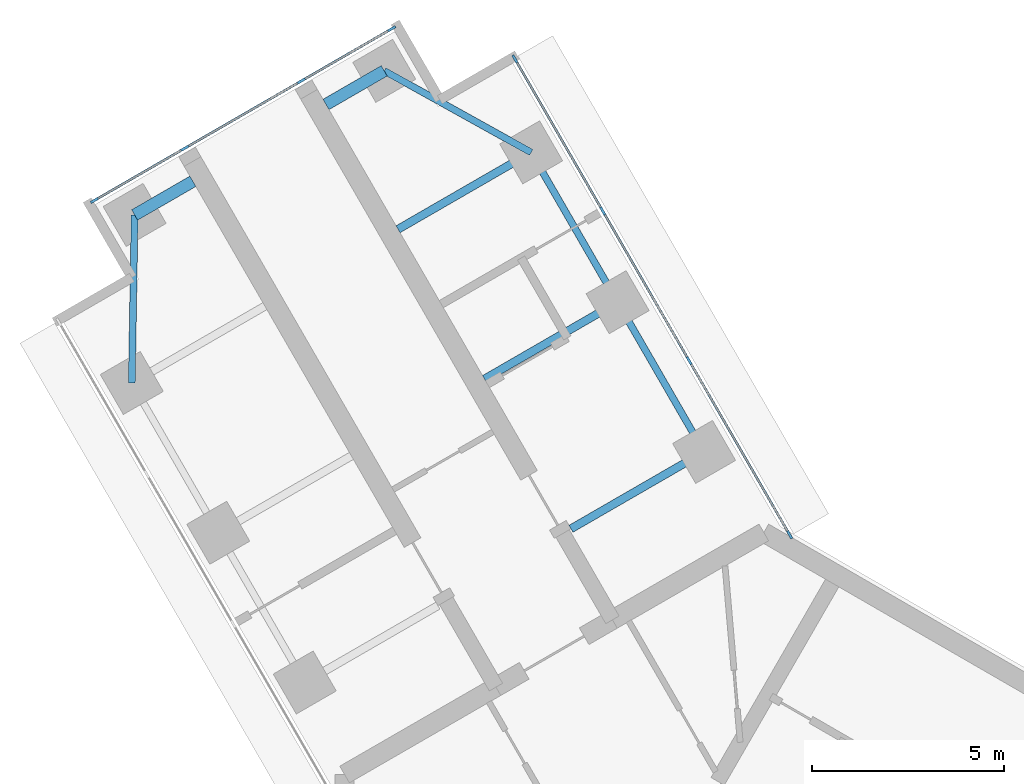
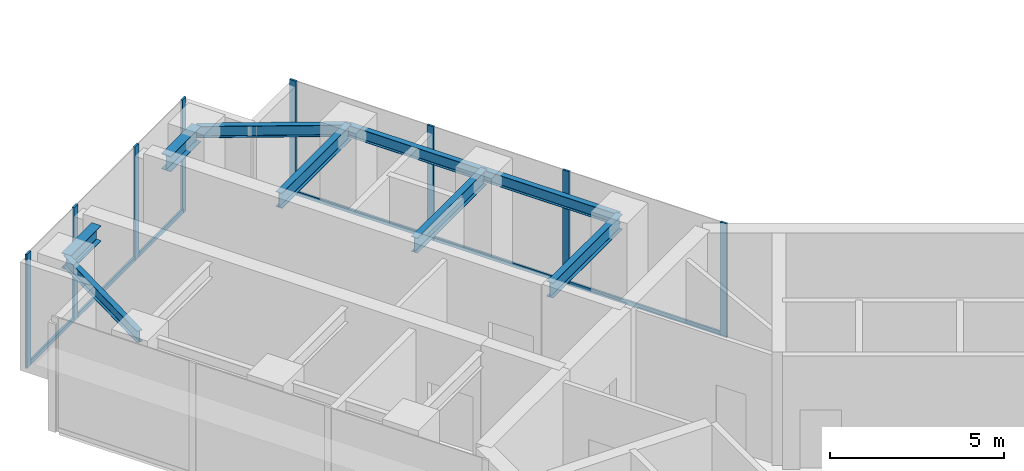
# One storey, part 6 of 17: 14 members, 9 beams, 2 elements without a shape of their own.
"""IFC4 building model written with IfcOpenShell, lengths in metres."""

from ifc_helpers import new_model, si_unit, direction, frame, origin, origin_2d, place, context, subcontext, project, spatial, rectangle, i_section, extrude, material, material_profile, profile_set, type_object, element, aggregate, save


model = new_model("IFC4")

# Units and contexts
model_context = context("Model", 3, precision=1e-05, world=origin(), true_north=direction((0.0, 1.0)))
body_context = subcontext(model_context, "Body", "Model", "MODEL_VIEW")
ifc_project = project(units=[si_unit("LENGTHUNIT", "METRE"), si_unit("AREAUNIT", "SQUARE_METRE"), si_unit("VOLUMEUNIT", "CUBIC_METRE"), si_unit("PLANEANGLEUNIT", "RADIAN"), si_unit("MASSUNIT", "GRAM", prefix="KILO")], contexts=[model_context])

# Site, building, storey
site_placement = place(None, origin())
site = spatial("IfcSite", under=ifc_project, at=site_placement, CompositionType="ELEMENT")
building_placement = place(site_placement, origin())
building = spatial("IfcBuilding", under=site, at=building_placement, Name="Upepo Twin Towers", CompositionType="ELEMENT")
storey_placement = place(building_placement, frame((0.0, 0.0, 190.5)))
storey = spatial("IfcBuildingStorey", under=building, at=storey_placement, Name="L46", CompositionType="ELEMENT", Elevation=190.5)

# Beams
ifc_material_1 = material(Name="Steel S355", Category="steel")
ifc_material_profile_1 = material_profile(ifc_material_1, i_section(OverallWidth=0.177978515625, OverallDepth=0.406494140625, WebThickness=0.0078125, FlangeThickness=0.0126953125, FilletRadius=0.01025390625, at=origin_2d()), Name="UB 406x178x60")
ifc_profile_set_1 = profile_set([ifc_material_profile_1], Name="Steel S355")
beam_type_1 = type_object("IfcBeamType", Name="Beam UB 406x178x60", PredefinedType="BEAM", material=ifc_profile_set_1)
beam_1_placement = place(storey_placement, frame((-16.446044921875, 16.485595703125, 3.5966796875), z_axis=(0.016803880528, 0.999858804832, 0.0), x_axis=(-0.999858804832, 0.016803880528, 0.0)))
element("IfcBeam", 1, at=beam_1_placement, inside=storey, type_object=beam_type_1, Name="T1 nose edge beam BL", PredefinedType="BEAM", context=body_context, shape_type="SweptSolid", body=[
    extrude(i_section(OverallWidth=0.177978515625, OverallDepth=0.406494140625, WebThickness=0.0078125, FlangeThickness=0.0126953125, FilletRadius=0.01025390625, at=origin_2d()), origin(), (0.0, 0.0, 1.0), 4.373291015625),
])
beam_2_placement = place(storey_placement, frame((-1.553955078125, 14.69140625, 3.5966796875), z_axis=(-0.500013631625, 0.866017533419, 0.0), x_axis=(-0.866017533419, -0.500013631625, 0.0)))
element("IfcBeam", 2, at=beam_2_placement, inside=storey, type_object=beam_type_1, Name="T1 edge beam BR 13.5-18.0", PredefinedType="BEAM", context=body_context, shape_type="SweptSolid", body=[
    extrude(i_section(OverallWidth=0.177978515625, OverallDepth=0.406494140625, WebThickness=0.0078125, FlangeThickness=0.0126953125, FilletRadius=0.01025390625, at=origin_2d()), origin(), (0.0, 0.0, 1.0), 4.499755859375),
])
beam_3_placement = place(storey_placement, frame((-3.803955078125, 18.58837890625, 3.5966796875), z_axis=(-0.499990139034, 0.866031096941, 0.0), x_axis=(-0.866031096941, -0.499990139034, 0.0)))
element("IfcBeam", 3, at=beam_3_placement, inside=storey, type_object=beam_type_1, Name="T1 edge beam BR 18.0-22.5", PredefinedType="BEAM", context=body_context, shape_type="SweptSolid", body=[
    extrude(i_section(OverallWidth=0.177978515625, OverallDepth=0.406494140625, WebThickness=0.0078125, FlangeThickness=0.0126953125, FilletRadius=0.01025390625, at=origin_2d()), origin(), (0.0, 0.0, 1.0), 4.5),
])
beam_4_placement = place(storey_placement, frame((-6.053955078125, 22.485595703125, 3.5966796875), z_axis=(-0.874312600038, 0.485363242752, 0.0), x_axis=(-0.485363242752, -0.874312600038, 0.0)))
element("IfcBeam", 4, at=beam_4_placement, inside=storey, type_object=beam_type_1, Name="T1 nose edge beam BR", PredefinedType="BEAM", context=body_context, shape_type="SweptSolid", body=[
    extrude(i_section(OverallWidth=0.177978515625, OverallDepth=0.406494140625, WebThickness=0.0078125, FlangeThickness=0.0126953125, FilletRadius=0.01025390625, at=origin_2d()), origin(), (0.0, 0.0, 1.0), 4.373046875),
])
ifc_material_2 = material(Name="Steel S355", Category="steel")
ifc_material_profile_2 = material_profile(ifc_material_2, i_section(OverallWidth=0.209228515625, OverallDepth=0.533203125, WebThickness=0.010009765625, FlangeThickness=0.015625, FilletRadius=0.0126953125, at=origin_2d()), Name="UB 533x210x92")
ifc_profile_set_2 = profile_set([ifc_material_profile_2], Name="Steel S355")
beam_type_2 = type_object("IfcBeamType", Name="Beam UB 533x210x92", PredefinedType="BEAM", material=ifc_profile_set_2)
for number, where, z_axis, x_axis, name in (
    (5, (-1.553955078125, 14.69140625, 3.533447265625), (-0.866026010844, -0.49999894854, 0.0), (0.49999894854, -0.866026010844, 0.0), "T1 girder BR at 13.5"),
    (6, (-3.803955078125, 18.58837890625, 3.533447265625), (-0.866026010844, -0.49999894854, 0.0), (0.49999894854, -0.866026010844, 0.0), "T1 girder BR at 18.0"),
    (7, (-6.053955078125, 22.485595703125, 3.533447265625), (-0.866026010844, -0.49999894854, 0.0), (0.49999894854, -0.866026010844, 0.0), "T1 girder BR at 22.5"),
):
    element("IfcBeam", number, at=place(storey_placement, frame(where, z_axis=z_axis, x_axis=x_axis)), inside=storey, type_object=beam_type_2, Name=name, PredefinedType="BEAM", context=body_context, shape_type="SweptSolid", body=[
        extrude(i_section(OverallWidth=0.209228515625, OverallDepth=0.533203125, WebThickness=0.010009765625, FlangeThickness=0.015625, FilletRadius=0.0126953125, at=origin_2d()), origin(), (0.0, 0.0, 1.0), 4.0),
    ])
ifc_material_3 = material(Name="Steel S355", Category="steel")
ifc_material_profile_3 = material_profile(ifc_material_3, i_section(OverallWidth=0.31201171875, OverallDepth=0.54345703125, WebThickness=0.0126953125, FlangeThickness=0.020263671875, FilletRadius=0.0126953125, at=origin_2d()), Name="UB 533x312x150")
ifc_profile_set_3 = profile_set([ifc_material_profile_3], Name="Steel S355")
beam_type_3 = type_object("IfcBeamType", Name="Beam UB 533x312x150", PredefinedType="BEAM", material=ifc_profile_set_3)
for number, where, z_axis, x_axis, name in (
    (8, (-16.37255859375, 20.858154296875, 3.5283203125), (0.866036909293, 0.499980071345, 0.0), (-0.499980071345, 0.866036909293, 0.0), "T1 nose beam BL"),
    (9, (-9.87744140625, 24.608154296875, 3.5283203125), (-0.866036909293, -0.499980071345, 0.0), (0.499980071345, -0.866036909293, 0.0), "T1 nose beam BR"),
):
    element("IfcBeam", number, at=place(storey_placement, frame(where, z_axis=z_axis, x_axis=x_axis)), inside=storey, type_object=beam_type_3, Name=name, PredefinedType="BEAM", context=body_context, shape_type="SweptSolid", body=[
        extrude(i_section(OverallWidth=0.31201171875, OverallDepth=0.54345703125, WebThickness=0.0126953125, FlangeThickness=0.020263671875, FilletRadius=0.0126953125, at=origin_2d()), origin(), (0.0, 0.0, 1.0), 1.75),
    ])

# Curtain wall, members
ifc_material_4 = material(Name="Aluminium and fritted glass", Category="aluminium")
curtain_wall_type = type_object("IfcCurtainWallType", Name="Tower curtain wall TW3, fritted glass", PredefinedType="NOTDEFINED", material=ifc_material_4)
curtain_wall_1_placement = place(storey_placement, origin())
curtain_wall_1 = element("IfcCurtainWall", 10, at=curtain_wall_1_placement, inside=storey, type_object=curtain_wall_type, Name="T1 L46 wing B flank R curtain wall", PredefinedType="NOTDEFINED")
ifc_material_5 = material(Name="Aluminium mullion", Category="aluminium")
ifc_material_profile_4 = material_profile(ifc_material_5, rectangle(XDim=0.06494140625, YDim=0.22509765625, at=origin_2d()), Name="MULLION 65x225")
ifc_profile_set_4 = profile_set([ifc_material_profile_4], Name="Aluminium mullion")
member_type_1 = type_object("IfcMemberType", Name="Mullion 65x225 TW3", PredefinedType="MULLION", material=ifc_profile_set_4)
member_1_placement = place(storey_placement, frame((-6.4765625, 24.91748046875, 0.0), z_axis=(0.0, 0.0, 1.0), x_axis=(0.866025388469, 0.500000026527, 0.0)))
member_1 = element("IfcMember", 11, at=member_1_placement, type_object=member_type_1, Name="T1 L46 wing B flank R curtain wall mullion 1", PredefinedType="MULLION", context=body_context, shape_type="SweptSolid", body=[
    extrude(rectangle(XDim=0.06494140625, YDim=0.22509765625, at=origin_2d()), origin(), (0.0, 0.0, 1.0), 4.0),
])
member_2_placement = place(storey_placement, frame((-4.192626953125, 20.9619140625, 0.0), z_axis=(0.0, 0.0, 1.0), x_axis=(0.866025388469, 0.500000026527, 0.0)))
member_2 = element("IfcMember", 12, at=member_2_placement, type_object=member_type_1, Name="T1 L46 wing B flank R curtain wall mullion 2", PredefinedType="MULLION", context=body_context, shape_type="SweptSolid", body=[
    extrude(rectangle(XDim=0.06494140625, YDim=0.22509765625, at=origin_2d()), origin(), (0.0, 0.0, 1.0), 4.0),
])
member_3_placement = place(storey_placement, frame((-1.942626953125, 17.06494140625, 0.0), z_axis=(0.0, 0.0, 1.0), x_axis=(0.866025388469, 0.500000026527, 0.0)))
member_3 = element("IfcMember", 13, at=member_3_placement, type_object=member_type_1, Name="T1 L46 wing B flank R curtain wall mullion 3", PredefinedType="MULLION", context=body_context, shape_type="SweptSolid", body=[
    extrude(rectangle(XDim=0.06494140625, YDim=0.22509765625, at=origin_2d()), origin(), (0.0, 0.0, 1.0), 4.0),
])
member_4_placement = place(storey_placement, frame((0.67236328125, 12.53515625, 0.0), z_axis=(0.0, 0.0, 1.0), x_axis=(0.866025388469, 0.500000026527, 0.0)))
member_4 = element("IfcMember", 14, at=member_4_placement, type_object=member_type_1, Name="T1 L46 wing B flank R curtain wall mullion 4", PredefinedType="MULLION", context=body_context, shape_type="SweptSolid", body=[
    extrude(rectangle(XDim=0.06494140625, YDim=0.22509765625, at=origin_2d()), origin(), (0.0, 0.0, 1.0), 4.0),
])

curtain_wall_2_placement = place(storey_placement, origin())
curtain_wall_2 = element("IfcCurtainWall", 15, at=curtain_wall_2_placement, inside=storey, type_object=curtain_wall_type, Name="T1 L46 wing B nose curtain wall", PredefinedType="NOTDEFINED")
member_5_placement = place(storey_placement, frame((-9.68115234375, 25.703125, 0.0), z_axis=(0.0, 0.0, 1.0), x_axis=(0.500000030502, -0.866025386174, 0.0)))
member_5 = element("IfcMember", 16, at=member_5_placement, type_object=member_type_1, Name="T1 L46 wing B nose curtain wall mullion 1", PredefinedType="MULLION", context=body_context, shape_type="SweptSolid", body=[
    extrude(rectangle(XDim=0.06494140625, YDim=0.22509765625, at=origin_2d()), origin(), (0.0, 0.0, 1.0), 4.0),
])
member_6_placement = place(storey_placement, frame((-12.034423828125, 24.34423828125, 0.0), z_axis=(0.0, 0.0, 1.0), x_axis=(0.500000030502, -0.866025386174, 0.0)))
member_6 = element("IfcMember", 17, at=member_6_placement, type_object=member_type_1, Name="T1 L46 wing B nose curtain wall mullion 2", PredefinedType="MULLION", context=body_context, shape_type="SweptSolid", body=[
    extrude(rectangle(XDim=0.06494140625, YDim=0.22509765625, at=origin_2d()), origin(), (0.0, 0.0, 1.0), 4.0),
])
member_7_placement = place(storey_placement, frame((-15.0654296875, 22.59423828125, 0.0), z_axis=(0.0, 0.0, 1.0), x_axis=(0.500000030502, -0.866025386174, 0.0)))
member_7 = element("IfcMember", 18, at=member_7_placement, type_object=member_type_1, Name="T1 L46 wing B nose curtain wall mullion 3", PredefinedType="MULLION", context=body_context, shape_type="SweptSolid", body=[
    extrude(rectangle(XDim=0.06494140625, YDim=0.22509765625, at=origin_2d()), origin(), (0.0, 0.0, 1.0), 4.0),
])
member_8_placement = place(storey_placement, frame((-17.4189453125, 21.235595703125, 0.0), z_axis=(0.0, 0.0, 1.0), x_axis=(0.500000030502, -0.866025386174, 0.0)))
member_8 = element("IfcMember", 19, at=member_8_placement, type_object=member_type_1, Name="T1 L46 wing B nose curtain wall mullion 4", PredefinedType="MULLION", context=body_context, shape_type="SweptSolid", body=[
    extrude(rectangle(XDim=0.06494140625, YDim=0.22509765625, at=origin_2d()), origin(), (0.0, 0.0, 1.0), 4.0),
])

# Member
ifc_material_6 = material(Name="Aluminium transom", Category="aluminium")
ifc_material_profile_5 = material_profile(ifc_material_6, rectangle(XDim=0.06494140625, YDim=0.14990234375, at=origin_2d()), Name="TRANSOM 65x150")
ifc_profile_set_5 = profile_set([ifc_material_profile_5], Name="Aluminium transom")
member_type_2 = type_object("IfcMemberType", Name="Transom 65x150 TW3", PredefinedType="USERDEFINED", material=ifc_profile_set_5)
member_9_placement = place(storey_placement, frame((-6.460205078125, 24.889404296875, 0.074951171875), z_axis=(0.500005646842, -0.866022143554, 0.0), x_axis=(0.866022143554, 0.500005646842, 0.0)))
member_9 = element("IfcMember", 20, at=member_9_placement, type_object=member_type_2, Name="T1 L46 wing B flank R curtain wall transom 1", ObjectType="TRANSOM", PredefinedType="USERDEFINED", context=body_context, shape_type="SweptSolid", body=[
    extrude(rectangle(XDim=0.06494140625, YDim=0.14990234375, at=origin_2d()), origin(), (0.0, 0.0, 1.0), 4.50244140625),
])

member_10_placement = place(storey_placement, frame((-4.176513671875, 20.933837890625, 0.074951171875), z_axis=(0.500005184116, -0.866022410713, 0.0), x_axis=(0.866022410713, 0.500005184116, 0.0)))
member_10 = element("IfcMember", 21, at=member_10_placement, type_object=member_type_2, Name="T1 L46 wing B flank R curtain wall transom 2", ObjectType="TRANSOM", PredefinedType="USERDEFINED", context=body_context, shape_type="SweptSolid", body=[
    extrude(rectangle(XDim=0.06494140625, YDim=0.14990234375, at=origin_2d()), origin(), (0.0, 0.0, 1.0), 4.43505859375),
])

member_11_placement = place(storey_placement, frame((-1.926513671875, 17.036865234375, 0.074951171875), z_axis=(0.500007480159, -0.86602108507, 0.0), x_axis=(0.86602108507, 0.500007480159, 0.0)))
member_11 = element("IfcMember", 22, at=member_11_placement, type_object=member_type_2, Name="T1 L46 wing B flank R curtain wall transom 3", ObjectType="TRANSOM", PredefinedType="USERDEFINED", context=body_context, shape_type="SweptSolid", body=[
    extrude(rectangle(XDim=0.06494140625, YDim=0.14990234375, at=origin_2d()), origin(), (0.0, 0.0, 1.0), 5.16552734375),
])

aggregate(curtain_wall_1, [member_1, member_2, member_3, member_4, member_9, member_10, member_11])

member_12_placement = place(storey_placement, frame((-9.709228515625, 25.686767578125, 0.074951171875), z_axis=(-0.866036909293, -0.499980071345, 0.0), x_axis=(0.499980071345, -0.866036909293, 0.0)))
member_12 = element("IfcMember", 23, at=member_12_placement, type_object=member_type_2, Name="T1 L46 wing B nose curtain wall transom 1", ObjectType="TRANSOM", PredefinedType="USERDEFINED", context=body_context, shape_type="SweptSolid", body=[
    extrude(rectangle(XDim=0.06494140625, YDim=0.14990234375, at=origin_2d()), origin(), (0.0, 0.0, 1.0), 2.65234375),
])

member_13_placement = place(storey_placement, frame((-12.0625, 24.328125, 0.074951171875), z_axis=(-0.866025804792, -0.499999305434, 0.0), x_axis=(0.499999305434, -0.866025804792, 0.0)))
member_13 = element("IfcMember", 24, at=member_13_placement, type_object=member_type_2, Name="T1 L46 wing B nose curtain wall transom 2", ObjectType="TRANSOM", PredefinedType="USERDEFINED", context=body_context, shape_type="SweptSolid", body=[
    extrude(rectangle(XDim=0.06494140625, YDim=0.14990234375, at=origin_2d()), origin(), (0.0, 0.0, 1.0), 3.43505859375),
])

member_14_placement = place(storey_placement, frame((-15.09375, 22.578125, 0.074951171875), z_axis=(-0.865997053448, -0.500049101008, 0.0), x_axis=(0.500049101008, -0.865997053448, 0.0)))
member_14 = element("IfcMember", 25, at=member_14_placement, type_object=member_type_2, Name="T1 L46 wing B nose curtain wall transom 3", ObjectType="TRANSOM", PredefinedType="USERDEFINED", context=body_context, shape_type="SweptSolid", body=[
    extrude(rectangle(XDim=0.06494140625, YDim=0.14990234375, at=origin_2d()), origin(), (0.0, 0.0, 1.0), 2.652587890625),
])

aggregate(curtain_wall_2, [member_5, member_6, member_7, member_8, member_12, member_13, member_14])

save(model, "model.ifc")
